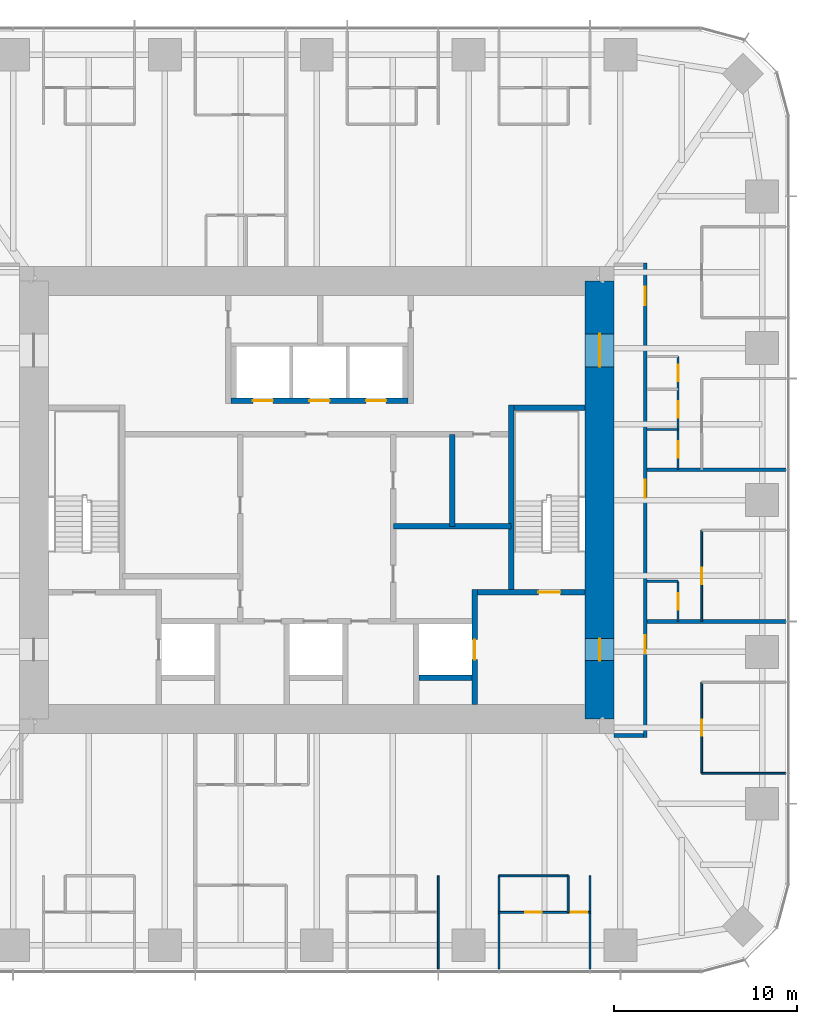
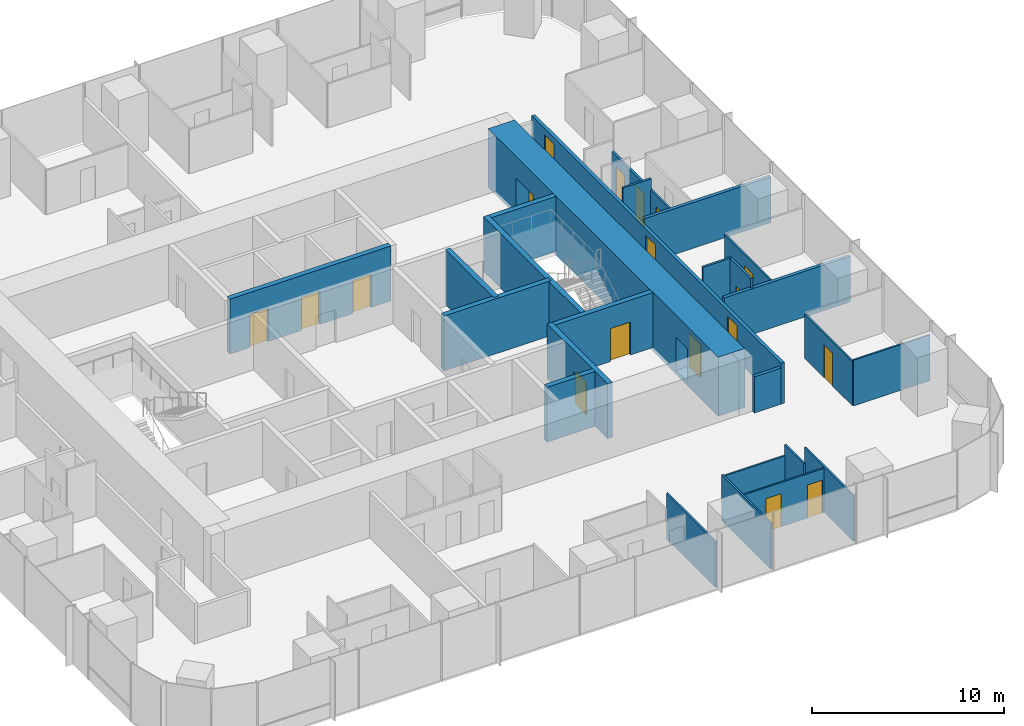
# One storey, part 10 of 13: 26 walls, 18 doors, 18 openings.
"""IFC4 building model written with IfcOpenShell, lengths in metres."""

from ifc_helpers import new_model, si_unit, direction, frame, frame_2d, origin, place, context, subcontext, project, spatial, rectangle, extrude, material, layer, layer_set, type_object, element, fill, save


model = new_model("IFC4")

# Units and contexts
model_context = context("Model", 3, precision=1e-05, world=origin(), true_north=direction((0.0, 1.0)))
body_context = subcontext(model_context, "Body", "Model", "MODEL_VIEW")
ifc_project = project(units=[si_unit("LENGTHUNIT", "METRE"), si_unit("AREAUNIT", "SQUARE_METRE"), si_unit("VOLUMEUNIT", "CUBIC_METRE"), si_unit("PLANEANGLEUNIT", "RADIAN"), si_unit("MASSUNIT", "GRAM", prefix="KILO")], contexts=[model_context])

# Site, building, storey
site_placement = place(None, origin())
site = spatial("IfcSite", under=ifc_project, at=site_placement, CompositionType="ELEMENT")
building_placement = place(site_placement, origin())
building = spatial("IfcBuilding", under=site, at=building_placement, Name="Khuree Lantern Residences", CompositionType="ELEMENT")
storey_placement = place(building_placement, frame((0.0, 0.0, 259.5)))
storey = spatial("IfcBuildingStorey", under=building, at=storey_placement, Name="L65", CompositionType="ELEMENT", Elevation=259.5)

# Wall, opening, door
ifc_material_1 = material(Name="Moisture-resistant gypsum board on steel studs", Category="steel")
ifc_layer_1 = layer(ifc_material_1, 0.125)
ifc_layer_set_1 = layer_set([ifc_layer_1], Name="BATHROOM WALL BTW125")
wall_type_1 = type_object("IfcWallType", Name="BATHROOM WALL BTW125", PredefinedType="PARTITIONING", material=ifc_layer_set_1)
wall_1_placement = place(storey_placement, frame((19.800048828125, -6.656005859375, 0.0), z_axis=(0.0, 0.0, 1.0), x_axis=(0.0, 1.0, 0.0)))
wall_1 = element("IfcWall", 1, at=wall_1_placement, inside=storey, type_object=wall_type_1, Name="L65 BATHROOM WALL 01", PredefinedType="PARTITIONING", context=body_context, shape_type="SweptSolid", body=[
    extrude(rectangle(XDim=2.199951171875, YDim=0.125, at=frame_2d((1.10009765625, 0.0))), origin(), (0.0, 0.0, 1.0), 3.5),
])
opening_1_placement = place(wall_1_placement, frame((0.64990234375, 0.0, 0.0)))
opening_1 = element("IfcOpeningElement", 2, at=opening_1_placement, cuts=wall_1, Name="Opening 65-024", PredefinedType="OPENING", context=body_context, shape_type="SweptSolid", body=[
    extrude(rectangle(XDim=0.89990234375, YDim=2.10009765625, at=frame_2d((0.449951171875, 1.050048828125))), frame((0.0, 0.072509765625, 0.0), z_axis=(0.0, -1.0, 0.0), x_axis=(1.0, 0.0, 0.0)), (0.0, 0.0, 1.0), 0.14501953125),
])
ifc_material_2 = material(Name="Timber door leaf in hardwood frame", Category="wood")
door_type_1 = type_object("IfcDoorType", Name="BATHROOM DOOR 900X2100", OperationType="SINGLE_SWING_LEFT", PredefinedType="DOOR", material=ifc_material_2)
door_1_placement = place(opening_1_placement, origin())
door_1 = element("IfcDoor", 3, at=door_1_placement, inside=storey, type_object=door_type_1, Name="Bathroom door 65-024", OperationType="SINGLE_SWING_LEFT", OverallHeight=2.10009765625, OverallWidth=0.89990234375, PredefinedType="DOOR", context=body_context, shape_type="SweptSolid", body=[
    extrude(rectangle(XDim=0.89990234375, YDim=2.10009765625, at=frame_2d((0.449951171875, 1.050048828125))), frame((0.0, 0.02490234375, 0.0), z_axis=(0.0, -1.0, 0.0), x_axis=(1.0, 0.0, 0.0)), (0.0, 0.0, 1.0), 0.050048828125),
])
fill(opening_1, door_1)

# Wall
wall_2_placement = place(storey_placement, frame((18.10009765625, -4.4560546875, 0.0), z_axis=(0.0, 0.0, 1.0), x_axis=(1.0, 0.0, 0.0)))
element("IfcWall", 4, at=wall_2_placement, inside=storey, type_object=wall_type_1, Name="L65 BATHROOM WALL 01", PredefinedType="PARTITIONING", context=body_context, shape_type="SweptSolid", body=[
    extrude(rectangle(XDim=1.699951171875, YDim=0.125, at=frame_2d((0.85009765625, 0.0))), origin(), (0.0, 0.0, 1.0), 3.5),
])

# Wall, openings, doors
wall_3_placement = place(storey_placement, frame((19.800048828125, 1.6640625, 0.0), z_axis=(0.0, 0.0, 1.0), x_axis=(0.0, 1.0, 0.0)))
wall_3 = element("IfcWall", 5, at=wall_3_placement, inside=storey, type_object=wall_type_1, Name="L65 BATHROOM WALL 02", PredefinedType="PARTITIONING", context=body_context, shape_type="SweptSolid", body=[
    extrude(rectangle(XDim=6.199951171875, YDim=0.125, at=frame_2d((3.10009765625, 0.0))), origin(), (0.0, 0.0, 1.0), 2.81005859375),
])
opening_2_placement = place(wall_3_placement, frame((0.64990234375, 0.0, 0.0)))
opening_2 = element("IfcOpeningElement", 6, at=opening_2_placement, cuts=wall_3, Name="Opening 65-032", PredefinedType="OPENING", context=body_context, shape_type="SweptSolid", body=[
    extrude(rectangle(XDim=0.89990234375, YDim=2.10009765625, at=frame_2d((0.449951171875, 1.050048828125))), frame((0.0, 0.072509765625, 0.0), z_axis=(0.0, -1.0, 0.0), x_axis=(1.0, 0.0, 0.0)), (0.0, 0.0, 1.0), 0.14501953125),
])
opening_3_placement = place(wall_3_placement, frame((2.85009765625, 0.0, 0.0)))
opening_3 = element("IfcOpeningElement", 7, at=opening_3_placement, cuts=wall_3, Name="Opening 65-033", PredefinedType="OPENING", context=body_context, shape_type="SweptSolid", body=[
    extrude(rectangle(XDim=0.89990234375, YDim=2.10009765625, at=frame_2d((0.449951171875, 1.050048828125))), frame((0.0, 0.072509765625, 0.0), z_axis=(0.0, -1.0, 0.0), x_axis=(1.0, 0.0, 0.0)), (0.0, 0.0, 1.0), 0.14501953125),
])
opening_4_placement = place(wall_3_placement, frame((4.85009765625, 0.0, 0.0)))
opening_4 = element("IfcOpeningElement", 8, at=opening_4_placement, cuts=wall_3, Name="Opening 65-034", PredefinedType="OPENING", context=body_context, shape_type="SweptSolid", body=[
    extrude(rectangle(XDim=0.89990234375, YDim=2.10009765625, at=frame_2d((0.449951171875, 1.050048828125))), frame((0.0, 0.072509765625, 0.0), z_axis=(0.0, -1.0, 0.0), x_axis=(1.0, 0.0, 0.0)), (0.0, 0.0, 1.0), 0.14501953125),
])
door_2_placement = place(opening_2_placement, origin())
door_2 = element("IfcDoor", 9, at=door_2_placement, inside=storey, type_object=door_type_1, Name="Bathroom door 65-032", OperationType="SINGLE_SWING_LEFT", OverallHeight=2.10009765625, OverallWidth=0.89990234375, PredefinedType="DOOR", context=body_context, shape_type="SweptSolid", body=[
    extrude(rectangle(XDim=0.89990234375, YDim=2.10009765625, at=frame_2d((0.449951171875, 1.050048828125))), frame((0.0, 0.02490234375, 0.0), z_axis=(0.0, -1.0, 0.0), x_axis=(1.0, 0.0, 0.0)), (0.0, 0.0, 1.0), 0.050048828125),
])
fill(opening_2, door_2)
door_3_placement = place(opening_3_placement, origin())
door_3 = element("IfcDoor", 10, at=door_3_placement, inside=storey, type_object=door_type_1, Name="Bathroom door 65-033", OperationType="SINGLE_SWING_LEFT", OverallHeight=2.10009765625, OverallWidth=0.89990234375, PredefinedType="DOOR", context=body_context, shape_type="SweptSolid", body=[
    extrude(rectangle(XDim=0.89990234375, YDim=2.10009765625, at=frame_2d((0.449951171875, 1.050048828125))), frame((0.0, 0.02490234375, 0.0), z_axis=(0.0, -1.0, 0.0), x_axis=(1.0, 0.0, 0.0)), (0.0, 0.0, 1.0), 0.050048828125),
])
fill(opening_3, door_3)
door_type_2 = type_object("IfcDoorType", Name="DOOR 900X2100", OperationType="SINGLE_SWING_LEFT", PredefinedType="DOOR", material=ifc_material_2)
door_4_placement = place(opening_4_placement, origin())
door_4 = element("IfcDoor", 11, at=door_4_placement, inside=storey, type_object=door_type_2, Name="Store door 65-034", OperationType="SINGLE_SWING_LEFT", OverallHeight=2.10009765625, OverallWidth=0.89990234375, PredefinedType="DOOR", context=body_context, shape_type="SweptSolid", body=[
    extrude(rectangle(XDim=0.89990234375, YDim=2.10009765625, at=frame_2d((0.449951171875, 1.050048828125))), frame((0.0, 0.02490234375, 0.0), z_axis=(0.0, -1.0, 0.0), x_axis=(1.0, 0.0, 0.0)), (0.0, 0.0, 1.0), 0.050048828125),
])
fill(opening_4, door_4)

# Wall
wall_4_placement = place(storey_placement, frame((18.10009765625, 3.864013671875, 0.0), z_axis=(0.0, 0.0, 1.0), x_axis=(1.0, 0.0, 0.0)))
element("IfcWall", 12, at=wall_4_placement, inside=storey, type_object=wall_type_1, Name="L65 BATHROOM WALL 02", PredefinedType="PARTITIONING", context=body_context, shape_type="SweptSolid", body=[
    extrude(rectangle(XDim=1.699951171875, YDim=0.125, at=frame_2d((0.85009765625, 0.0))), origin(), (0.0, 0.0, 1.0), 3.5),
])

# Wall, opening, door
ifc_material_3 = material(Name="Dense concrete blockwork", Category="masonry")
ifc_layer_2 = layer(ifc_material_3, 0.300048828125)
ifc_layer_set_2 = layer_set([ifc_layer_2], Name="CORE PARTITION WALL CPW300 EI 120")
wall_type_2 = type_object("IfcWallType", Name="CORE PARTITION WALL CPW300 EI 120", PredefinedType="PARTITIONING", material=ifc_layer_set_2)
wall_5_placement = place(storey_placement, frame((8.64990234375, -11.199951171875, 0.0), z_axis=(0.0, 0.0, 1.0), x_axis=(0.0, 1.0, 0.0)))
wall_5 = element("IfcWall", 13, at=wall_5_placement, inside=storey, type_object=wall_type_2, Name="L65 CORE WALL FL2E", PredefinedType="PARTITIONING", context=body_context, shape_type="SweptSolid", body=[
    extrude(rectangle(XDim=6.300048828125, YDim=0.300048828125, at=frame_2d((3.14990234375, 0.0))), origin(), (0.0, 0.0, 1.0), 3.5),
])
opening_5_placement = place(wall_5_placement, frame((2.449951171875, 0.0, 0.0)))
opening_5 = element("IfcOpeningElement", 14, at=opening_5_placement, cuts=wall_5, Name="Opening 65-008", PredefinedType="OPENING", context=body_context, shape_type="SweptSolid", body=[
    extrude(rectangle(XDim=1.10009765625, YDim=2.10009765625, at=frame_2d((0.550048828125, 1.050048828125))), frame((0.0, 0.16015625, 0.0), z_axis=(0.0, -1.0, 0.0), x_axis=(1.0, 0.0, 0.0)), (0.0, 0.0, 1.0), 0.320068359375),
])
ifc_material_4 = material(Name="Stainless steel lift landing door", Category="steel")
door_type_3 = type_object("IfcDoorType", Name="LIFT LANDING DOOR 1100X2100 E 120", OperationType="DOUBLE_DOOR_SLIDING", PredefinedType="DOOR", material=ifc_material_4)
door_5_placement = place(opening_5_placement, origin())
door_5 = element("IfcDoor", 15, at=door_5_placement, inside=storey, type_object=door_type_3, Name="Landing door FL2 65-008", OperationType="DOUBLE_DOOR_SLIDING", OverallHeight=2.10009765625, OverallWidth=1.10009765625, PredefinedType="DOOR", context=body_context, shape_type="SweptSolid", body=[
    extrude(rectangle(XDim=1.10009765625, YDim=2.10009765625, at=frame_2d((0.550048828125, 1.050048828125))), frame((0.0, 0.02490234375, 0.0), z_axis=(0.0, -1.0, 0.0), x_axis=(1.0, 0.0, 0.0)), (0.0, 0.0, 1.0), 0.050048828125),
])
fill(opening_5, door_5)

# Wall
wall_6_placement = place(storey_placement, frame((5.60009765625, -9.75, 0.0), z_axis=(0.0, 0.0, 1.0), x_axis=(1.0, 0.0, 0.0)))
element("IfcWall", 16, at=wall_6_placement, inside=storey, type_object=wall_type_2, Name="L65 CORE WALL FL2S", PredefinedType="PARTITIONING", context=body_context, shape_type="SweptSolid", body=[
    extrude(rectangle(XDim=2.89990234375, YDim=0.300048828125, at=frame_2d((1.449951171875, 0.0))), origin(), (0.0, 0.0, 1.0), 3.5),
])

# Wall, openings, doors
wall_7_placement = place(storey_placement, frame((-4.699951171875, 5.449951171875, 0.0), z_axis=(0.0, 0.0, 1.0), x_axis=(1.0, 0.0, 0.0)))
wall_7 = element("IfcWall", 17, at=wall_7_placement, inside=storey, type_object=wall_type_2, Name="L65 CORE WALL PHS", PredefinedType="PARTITIONING", context=body_context, shape_type="SweptSolid", body=[
    extrude(rectangle(XDim=9.699951171875, YDim=0.300048828125, at=frame_2d((4.85009765625, 0.0))), origin(), (0.0, 0.0, 1.0), 3.5),
])
opening_6_placement = place(wall_7_placement, frame((1.199951171875, 0.0, 0.0)))
opening_6 = element("IfcOpeningElement", 18, at=opening_6_placement, cuts=wall_7, Name="Opening 65-009", PredefinedType="OPENING", context=body_context, shape_type="SweptSolid", body=[
    extrude(rectangle(XDim=1.10009765625, YDim=2.10009765625, at=frame_2d((0.550048828125, 1.050048828125))), frame((0.0, 0.16015625, 0.0), z_axis=(0.0, -1.0, 0.0), x_axis=(1.0, 0.0, 0.0)), (0.0, 0.0, 1.0), 0.320068359375),
])
opening_7_placement = place(wall_7_placement, frame((4.300048828125, 0.0, 0.0)))
opening_7 = element("IfcOpeningElement", 19, at=opening_7_placement, cuts=wall_7, Name="Opening 65-010", PredefinedType="OPENING", context=body_context, shape_type="SweptSolid", body=[
    extrude(rectangle(XDim=1.10009765625, YDim=2.10009765625, at=frame_2d((0.550048828125, 1.050048828125))), frame((0.0, 0.16015625, 0.0), z_axis=(0.0, -1.0, 0.0), x_axis=(1.0, 0.0, 0.0)), (0.0, 0.0, 1.0), 0.320068359375),
])
opening_8_placement = place(wall_7_placement, frame((7.39990234375, 0.0, 0.0)))
opening_8 = element("IfcOpeningElement", 20, at=opening_8_placement, cuts=wall_7, Name="Opening 65-011", PredefinedType="OPENING", context=body_context, shape_type="SweptSolid", body=[
    extrude(rectangle(XDim=1.10009765625, YDim=2.10009765625, at=frame_2d((0.550048828125, 1.050048828125))), frame((0.0, 0.16015625, 0.0), z_axis=(0.0, -1.0, 0.0), x_axis=(1.0, 0.0, 0.0)), (0.0, 0.0, 1.0), 0.320068359375),
])
door_type_4 = type_object("IfcDoorType", Name="LIFT LANDING DOOR 1100X2100 E 60", OperationType="DOUBLE_DOOR_SLIDING", PredefinedType="DOOR", material=ifc_material_4)
door_6_placement = place(opening_6_placement, origin())
door_6 = element("IfcDoor", 21, at=door_6_placement, inside=storey, type_object=door_type_4, Name="Landing door PH1 65-009", OperationType="DOUBLE_DOOR_SLIDING", OverallHeight=2.10009765625, OverallWidth=1.10009765625, PredefinedType="DOOR", context=body_context, shape_type="SweptSolid", body=[
    extrude(rectangle(XDim=1.10009765625, YDim=2.10009765625, at=frame_2d((0.550048828125, 1.050048828125))), frame((0.0, 0.02490234375, 0.0), z_axis=(0.0, -1.0, 0.0), x_axis=(1.0, 0.0, 0.0)), (0.0, 0.0, 1.0), 0.050048828125),
])
fill(opening_6, door_6)
door_7_placement = place(opening_7_placement, origin())
door_7 = element("IfcDoor", 22, at=door_7_placement, inside=storey, type_object=door_type_4, Name="Landing door PH2 65-010", OperationType="DOUBLE_DOOR_SLIDING", OverallHeight=2.10009765625, OverallWidth=1.10009765625, PredefinedType="DOOR", context=body_context, shape_type="SweptSolid", body=[
    extrude(rectangle(XDim=1.10009765625, YDim=2.10009765625, at=frame_2d((0.550048828125, 1.050048828125))), frame((0.0, 0.02490234375, 0.0), z_axis=(0.0, -1.0, 0.0), x_axis=(1.0, 0.0, 0.0)), (0.0, 0.0, 1.0), 0.050048828125),
])
fill(opening_7, door_7)
door_8_placement = place(opening_8_placement, origin())
door_8 = element("IfcDoor", 23, at=door_8_placement, inside=storey, type_object=door_type_4, Name="Landing door PH3 65-011", OperationType="DOUBLE_DOOR_SLIDING", OverallHeight=2.10009765625, OverallWidth=1.10009765625, PredefinedType="DOOR", context=body_context, shape_type="SweptSolid", body=[
    extrude(rectangle(XDim=1.10009765625, YDim=2.10009765625, at=frame_2d((0.550048828125, 1.050048828125))), frame((0.0, 0.02490234375, 0.0), z_axis=(0.0, -1.0, 0.0), x_axis=(1.0, 0.0, 0.0)), (0.0, 0.0, 1.0), 0.050048828125),
])
fill(opening_8, door_8)

# Walls
wall_8_placement = place(storey_placement, frame((10.64990234375, -1.449951171875, 0.0), z_axis=(0.0, 0.0, 1.0), x_axis=(-1.0, 0.0, 0.0)))
element("IfcWall", 24, at=wall_8_placement, inside=storey, type_object=wall_type_2, Name="L65 CORE WALL EX", PredefinedType="PARTITIONING", context=body_context, shape_type="SweptSolid", body=[
    extrude(rectangle(XDim=6.449951171875, YDim=0.300048828125, at=frame_2d((3.22509765625, 0.0))), origin(), (0.0, 0.0, 1.0), 3.5),
])
wall_9_placement = place(storey_placement, frame((7.425048828125, -1.449951171875, 0.0), z_axis=(0.0, 0.0, 1.0), x_axis=(0.0, 1.0, 0.0)))
element("IfcWall", 25, at=wall_9_placement, inside=storey, type_object=wall_type_2, Name="L65 CORE WALL EV", PredefinedType="PARTITIONING", context=body_context, shape_type="SweptSolid", body=[
    extrude(rectangle(XDim=5.050048828125, YDim=0.300048828125, at=frame_2d((2.52490234375, 0.0))), origin(), (0.0, 0.0, 1.0), 3.5),
])
ifc_material_5 = material(Name="Gypsum board on steel studs", Category="steel")
ifc_layer_3 = layer(ifc_material_5, 0.199951171875)
ifc_layer_set_3 = layer_set([ifc_layer_3], Name="CORRIDOR WALL CRW200 EI 60")
wall_type_3 = type_object("IfcWallType", Name="CORRIDOR WALL CRW200 EI 60", PredefinedType="PARTITIONING", material=ifc_layer_set_3)
wall_10_placement = place(storey_placement, frame((16.300048828125, -12.89990234375, 0.0), z_axis=(0.0, 0.0, 1.0), x_axis=(1.0, 0.0, 0.0)))
element("IfcWall", 26, at=wall_10_placement, inside=storey, type_object=wall_type_3, Name="L65 EAST CORRIDOR SOUTH END WALL", PredefinedType="PARTITIONING", context=body_context, shape_type="SweptSolid", body=[
    extrude(rectangle(XDim=1.599853515625, YDim=0.199951171875, at=frame_2d((0.7998046875, 0.0))), origin(), (0.0, 0.0, 1.0), 2.300048828125),
])

# Wall, openings, doors
wall_11_placement = place(storey_placement, frame((18.0, -13.0, 0.0), z_axis=(0.0, 0.0, 1.0), x_axis=(0.0, 1.0, 0.0)))
wall_11 = element("IfcWall", 27, at=wall_11_placement, inside=storey, type_object=wall_type_3, Name="L65 CORRIDOR WALL EAST 1", PredefinedType="PARTITIONING", context=body_context, shape_type="SweptSolid", body=[
    extrude(rectangle(XDim=26.0, YDim=0.199951171875, at=frame_2d((13.0, 0.0))), origin(), (0.0, 0.0, 1.0), 2.60009765625),
])
opening_9_placement = place(wall_11_placement, frame((13.114013671875, 0.0, 0.0)))
opening_9 = element("IfcOpeningElement", 28, at=opening_9_placement, cuts=wall_11, Name="Opening 65-025", PredefinedType="OPENING", context=body_context, shape_type="SweptSolid", body=[
    extrude(rectangle(XDim=1.0, YDim=2.199951171875, at=frame_2d((0.5, 1.10009765625))), frame((0.0, 0.10986328125, 0.0), z_axis=(0.0, -1.0, 0.0), x_axis=(1.0, 0.0, 0.0)), (0.0, 0.0, 1.0), 0.219970703125),
])
opening_10_placement = place(wall_11_placement, frame((23.68408203125, 0.0, 0.0)))
opening_10 = element("IfcOpeningElement", 29, at=opening_10_placement, cuts=wall_11, Name="Opening 65-035", PredefinedType="OPENING", context=body_context, shape_type="SweptSolid", body=[
    extrude(rectangle(XDim=1.0, YDim=2.199951171875, at=frame_2d((0.5, 1.10009765625))), frame((0.0, 0.10986328125, 0.0), z_axis=(0.0, -1.0, 0.0), x_axis=(1.0, 0.0, 0.0)), (0.0, 0.0, 1.0), 0.219970703125),
])
opening_11_placement = place(wall_11_placement, frame((4.60009765625, 0.0, 0.0)))
opening_11 = element("IfcOpeningElement", 30, at=opening_11_placement, cuts=wall_11, Name="Opening 65-061", PredefinedType="OPENING", context=body_context, shape_type="SweptSolid", body=[
    extrude(rectangle(XDim=1.0, YDim=2.199951171875, at=frame_2d((0.5, 1.10009765625))), frame((0.0, 0.10986328125, 0.0), z_axis=(0.0, -1.0, 0.0), x_axis=(1.0, 0.0, 0.0)), (0.0, 0.0, 1.0), 0.219970703125),
])
door_type_5 = type_object("IfcDoorType", Name="APARTMENT ENTRANCE DOOR 1000X2200 EI 30S", OperationType="SINGLE_SWING_LEFT", PredefinedType="DOOR", material=ifc_material_2)
door_9_placement = place(opening_9_placement, origin())
door_9 = element("IfcDoor", 31, at=door_9_placement, inside=storey, type_object=door_type_5, Name="Apartment 01 entrance door 65-025", OperationType="SINGLE_SWING_LEFT", OverallHeight=2.199951171875, OverallWidth=1.0, PredefinedType="DOOR", context=body_context, shape_type="SweptSolid", body=[
    extrude(rectangle(XDim=1.0, YDim=2.199951171875, at=frame_2d((0.5, 1.10009765625))), frame((0.0, 0.02490234375, 0.0), z_axis=(0.0, -1.0, 0.0), x_axis=(1.0, 0.0, 0.0)), (0.0, 0.0, 1.0), 0.050048828125),
])
fill(opening_9, door_9)
door_10_placement = place(opening_11_placement, origin())
door_10 = element("IfcDoor", 32, at=door_10_placement, inside=storey, type_object=door_type_5, Name="Apartment 06 entrance door 65-061", OperationType="SINGLE_SWING_LEFT", OverallHeight=2.199951171875, OverallWidth=1.0, PredefinedType="DOOR", context=body_context, shape_type="SweptSolid", body=[
    extrude(rectangle(XDim=1.0, YDim=2.199951171875, at=frame_2d((0.5, 1.10009765625))), frame((0.0, 0.02490234375, 0.0), z_axis=(0.0, -1.0, 0.0), x_axis=(1.0, 0.0, 0.0)), (0.0, 0.0, 1.0), 0.050048828125),
])
fill(opening_11, door_10)
door_type_6 = type_object("IfcDoorType", Name="APARTMENT ENTRANCE DOOR 1000X2200 EI 30S RIGHT HAND", OperationType="SINGLE_SWING_RIGHT", PredefinedType="DOOR", material=ifc_material_2)
door_11_placement = place(opening_10_placement, origin())
door_11 = element("IfcDoor", 33, at=door_11_placement, inside=storey, type_object=door_type_6, Name="Apartment 02 entrance door 65-035", OperationType="SINGLE_SWING_RIGHT", OverallHeight=2.199951171875, OverallWidth=1.0, PredefinedType="DOOR", context=body_context, shape_type="SweptSolid", body=[
    extrude(rectangle(XDim=1.0, YDim=2.199951171875, at=frame_2d((0.5, 1.10009765625))), frame((0.0, 0.02490234375, 0.0), z_axis=(0.0, -1.0, 0.0), x_axis=(1.0, 0.0, 0.0)), (0.0, 0.0, 1.0), 0.050048828125),
])
fill(opening_10, door_11)

ifc_material_6 = material(Name="Concrete C50/60", Category="concrete")
ifc_layer_4 = layer(ifc_material_6, 1.60009765625)
ifc_layer_set_4 = layer_set([ifc_layer_4], Name="CW1600-C50 CORE WALL C50 1600")
wall_type_4 = type_object("IfcWallType", Name="CW1600-C50 CORE WALL C50 1600", PredefinedType="SHEAR", material=ifc_layer_set_4)
wall_12_placement = place(storey_placement, frame((15.5, -12.0, -0.25), z_axis=(0.0, 0.0, 1.0), x_axis=(0.0, 1.0, 0.0)))
wall_12 = element("IfcWall", 34, at=wall_12_placement, inside=storey, type_object=wall_type_4, Name="Core wall E", PredefinedType="SHEAR", context=body_context, shape_type="SweptSolid", body=[
    extrude(rectangle(XDim=24.0, YDim=1.60009765625, at=frame_2d((12.0, 0.0))), origin(), (0.0, 0.0, 1.0), 3.75),
])
opening_12_placement = place(wall_12_placement, frame((3.199951171875, 0.0, 0.25)))
opening_12 = element("IfcOpeningElement", 35, at=opening_12_placement, cuts=wall_12, Name="Opening 65-005", PredefinedType="OPENING", context=body_context, shape_type="SweptSolid", body=[
    extrude(rectangle(XDim=1.199951171875, YDim=2.10009765625, at=frame_2d((0.60009765625, 1.050048828125))), frame((0.0, 0.81005859375, 0.0), z_axis=(0.0, -1.0, 0.0), x_axis=(1.0, 0.0, 0.0)), (0.0, 0.0, 1.0), 1.6201171875),
])
opening_13_placement = place(wall_12_placement, frame((19.300048828125, 0.0, 0.25)))
opening_13 = element("IfcOpeningElement", 36, at=opening_13_placement, cuts=wall_12, Name="Opening 65-006", PredefinedType="OPENING", context=body_context, shape_type="SweptSolid", body=[
    extrude(rectangle(XDim=1.800048828125, YDim=2.10009765625, at=frame_2d((0.89990234375, 1.050048828125))), frame((0.0, 0.81005859375, 0.0), z_axis=(0.0, -1.0, 0.0), x_axis=(1.0, 0.0, 0.0)), (0.0, 0.0, 1.0), 1.6201171875),
])
ifc_material_7 = material(Name="Steel door leaf in steel frame", Category="steel")
door_type_7 = type_object("IfcDoorType", Name="LOBBY DOOR 1200X2100 EI 120", OperationType="SINGLE_SWING_LEFT", PredefinedType="DOOR", material=ifc_material_7)
door_12_placement = place(opening_12_placement, origin())
door_12 = element("IfcDoor", 37, at=door_12_placement, inside=storey, type_object=door_type_7, Name="Firefighting lobby door 65-005", OperationType="SINGLE_SWING_LEFT", OverallHeight=2.10009765625, OverallWidth=1.199951171875, PredefinedType="DOOR", context=body_context, shape_type="SweptSolid", body=[
    extrude(rectangle(XDim=1.199951171875, YDim=2.10009765625, at=frame_2d((0.60009765625, 1.050048828125))), frame((0.0, 0.02490234375, 0.0), z_axis=(0.0, -1.0, 0.0), x_axis=(1.0, 0.0, 0.0)), (0.0, 0.0, 1.0), 0.050048828125),
])
fill(opening_12, door_12)
door_type_8 = type_object("IfcDoorType", Name="LOBBY DOUBLE DOOR 1800X2100 EI 60", OperationType="DOUBLE_DOOR_SINGLE_SWING", PredefinedType="DOOR", material=ifc_material_7)
door_13_placement = place(opening_13_placement, origin())
door_13 = element("IfcDoor", 38, at=door_13_placement, inside=storey, type_object=door_type_8, Name="Lift lobby door 65-006", OperationType="DOUBLE_DOOR_SINGLE_SWING", OverallHeight=2.10009765625, OverallWidth=1.800048828125, PredefinedType="DOOR", context=body_context, shape_type="SweptSolid", body=[
    extrude(rectangle(XDim=1.800048828125, YDim=2.10009765625, at=frame_2d((0.89990234375, 1.050048828125))), frame((0.0, 0.02490234375, 0.0), z_axis=(0.0, -1.0, 0.0), x_axis=(1.0, 0.0, 0.0)), (0.0, 0.0, 1.0), 0.050048828125),
])
fill(opening_13, door_13)

# Walls
ifc_layer_5 = layer(ifc_material_5, 0.199951171875)
ifc_layer_set_5 = layer_set([ifc_layer_5], Name="DEMISING WALL DMW200 EI 90")
wall_type_5 = type_object("IfcWallType", Name="DEMISING WALL DMW200 EI 90", PredefinedType="PARTITIONING", material=ifc_layer_set_5)
for number, where, z_axis, x_axis, name in (
    (39, (18.10009765625, -6.656005859375, 0.0), (0.0, 0.0, 1.0), (1.0, 0.0, 0.0), "L65 DEMISING WALL 01"),
    (40, (18.10009765625, 1.6640625, 0.0), (0.0, 0.0, 1.0), (1.0, 0.0, 0.0), "L65 DEMISING WALL 02"),
):
    element("IfcWall", number, at=place(storey_placement, frame(where, z_axis=z_axis, x_axis=x_axis)), inside=storey, type_object=wall_type_5, Name=name, PredefinedType="PARTITIONING", context=body_context, shape_type="SweptSolid", body=[
        extrude(rectangle(XDim=7.599853515625, YDim=0.199951171875, at=frame_2d((3.7998046875, 0.0))), origin(), (0.0, 0.0, 1.0), 2.909912109375),
    ])
ifc_layer_6 = layer(ifc_material_5, 0.10009765625)
ifc_layer_set_6 = layer_set([ifc_layer_6], Name="PARTITION PT100")
wall_type_6 = type_object("IfcWallType", Name="PARTITION PT100", PredefinedType="PARTITIONING", material=ifc_layer_set_6)
for number, where, z_axis, x_axis, name in (
    (41, (6.656005859375, -20.594970703125, 0.0), (0.0, 0.0, 1.0), (0.0, -1.0, 0.0), "L65 PARTITION 06"),
    (42, (9.98388671875, -20.594970703125, 0.0), (0.0, 0.0, 1.0), (0.0, -1.0, 0.0), "L65 PARTITION 06"),
    (43, (14.97607421875, -20.594970703125, 0.0), (0.0, 0.0, 1.0), (0.0, -1.0, 0.0), "L65 PARTITION 06"),
):
    element("IfcWall", number, at=place(storey_placement, frame(where, z_axis=z_axis, x_axis=x_axis)), inside=storey, type_object=wall_type_6, Name=name, PredefinedType="PARTITIONING", context=body_context, shape_type="SweptSolid", body=[
        extrude(rectangle(XDim=5.10498046875, YDim=0.10009765625, at=frame_2d((2.552490234375, 0.0))), origin(), (0.0, 0.0, 1.0), 2.909912109375),
    ])
wall_13_placement = place(storey_placement, frame((21.10009765625, -14.97607421875, 0.0), z_axis=(0.0, 0.0, 1.0), x_axis=(1.0, 0.0, 0.0)))
element("IfcWall", 44, at=wall_13_placement, inside=storey, type_object=wall_type_6, Name="L65 PARTITION 06", PredefinedType="PARTITIONING", context=body_context, shape_type="SweptSolid", body=[
    extrude(rectangle(XDim=4.599853515625, YDim=0.10009765625, at=frame_2d((2.2998046875, 0.0))), origin(), (0.0, 0.0, 1.0), 2.909912109375),
])

# Wall, opening, door
wall_14_placement = place(storey_placement, frame((21.10009765625, -6.656005859375, 0.0), z_axis=(0.0, 0.0, 1.0), x_axis=(0.0, 1.0, 0.0)))
wall_14 = element("IfcWall", 45, at=wall_14_placement, inside=storey, type_object=wall_type_6, Name="L65 PARTITION 01", PredefinedType="PARTITIONING", context=body_context, shape_type="SweptSolid", body=[
    extrude(rectangle(XDim=4.991943359375, YDim=0.10009765625, at=frame_2d((2.49609375, 0.0))), origin(), (0.0, 0.0, 1.0), 2.81005859375),
])
opening_14_placement = place(wall_14_placement, frame((2.0458984375, 0.0, 0.0)))
opening_14 = element("IfcOpeningElement", 46, at=opening_14_placement, cuts=wall_14, Name="Opening 65-023", PredefinedType="OPENING", context=body_context, shape_type="SweptSolid", body=[
    extrude(rectangle(XDim=0.89990234375, YDim=2.10009765625, at=frame_2d((0.449951171875, 1.050048828125))), frame((0.0, 0.06005859375, 0.0), z_axis=(0.0, -1.0, 0.0), x_axis=(1.0, 0.0, 0.0)), (0.0, 0.0, 1.0), 0.1201171875),
])
door_type_9 = type_object("IfcDoorType", Name="BEDROOM DOOR 900X2100", OperationType="SINGLE_SWING_LEFT", PredefinedType="DOOR", material=ifc_material_2)
door_14_placement = place(opening_14_placement, origin())
door_14 = element("IfcDoor", 47, at=door_14_placement, inside=storey, type_object=door_type_9, Name="Bedroom door 65-023", OperationType="SINGLE_SWING_LEFT", OverallHeight=2.10009765625, OverallWidth=0.89990234375, PredefinedType="DOOR", context=body_context, shape_type="SweptSolid", body=[
    extrude(rectangle(XDim=0.89990234375, YDim=2.10009765625, at=frame_2d((0.449951171875, 1.050048828125))), frame((0.0, 0.02490234375, 0.0), z_axis=(0.0, -1.0, 0.0), x_axis=(1.0, 0.0, 0.0)), (0.0, 0.0, 1.0), 0.050048828125),
])
fill(opening_14, door_14)

# Wall, openings, doors
wall_15_placement = place(storey_placement, frame((9.98388671875, -22.594970703125, 0.0), z_axis=(0.0, 0.0, 1.0), x_axis=(1.0, 0.0, 0.0)))
wall_15 = element("IfcWall", 48, at=wall_15_placement, inside=storey, type_object=wall_type_6, Name="L65 PARTITION 06", PredefinedType="PARTITIONING", context=body_context, shape_type="SweptSolid", body=[
    extrude(rectangle(XDim=4.9921875, YDim=0.10009765625, at=frame_2d((2.49609375, 0.0))), origin(), (0.0, 0.0, 1.0), 2.81005859375),
])
opening_15_placement = place(wall_15_placement, frame((3.94189453125, 0.0, 0.0)))
opening_15 = element("IfcOpeningElement", 49, at=opening_15_placement, cuts=wall_15, Name="Opening 65-055", PredefinedType="OPENING", context=body_context, shape_type="SweptSolid", body=[
    extrude(rectangle(XDim=0.89990234375, YDim=2.10009765625, at=frame_2d((0.449951171875, 1.050048828125))), frame((0.0, 0.06005859375, 0.0), z_axis=(0.0, -1.0, 0.0), x_axis=(1.0, 0.0, 0.0)), (0.0, 0.0, 1.0), 0.1201171875),
])
opening_16_placement = place(wall_15_placement, frame((1.446044921875, 0.0, 0.0)))
opening_16 = element("IfcOpeningElement", 50, at=opening_16_placement, cuts=wall_15, Name="Opening 65-056", PredefinedType="OPENING", context=body_context, shape_type="SweptSolid", body=[
    extrude(rectangle(XDim=0.89990234375, YDim=2.10009765625, at=frame_2d((0.449951171875, 1.050048828125))), frame((0.0, 0.06005859375, 0.0), z_axis=(0.0, -1.0, 0.0), x_axis=(1.0, 0.0, 0.0)), (0.0, 0.0, 1.0), 0.1201171875),
])
door_15_placement = place(opening_15_placement, origin())
door_15 = element("IfcDoor", 51, at=door_15_placement, inside=storey, type_object=door_type_9, Name="Bedroom door 65-055", OperationType="SINGLE_SWING_LEFT", OverallHeight=2.10009765625, OverallWidth=0.89990234375, PredefinedType="DOOR", context=body_context, shape_type="SweptSolid", body=[
    extrude(rectangle(XDim=0.89990234375, YDim=2.10009765625, at=frame_2d((0.449951171875, 1.050048828125))), frame((0.0, 0.02490234375, 0.0), z_axis=(0.0, -1.0, 0.0), x_axis=(1.0, 0.0, 0.0)), (0.0, 0.0, 1.0), 0.050048828125),
])
fill(opening_15, door_15)
door_16_placement = place(opening_16_placement, origin())
door_16 = element("IfcDoor", 52, at=door_16_placement, inside=storey, type_object=door_type_2, Name="Wardrobe door 65-056", OperationType="SINGLE_SWING_LEFT", OverallHeight=2.10009765625, OverallWidth=0.89990234375, PredefinedType="DOOR", context=body_context, shape_type="SweptSolid", body=[
    extrude(rectangle(XDim=0.89990234375, YDim=2.10009765625, at=frame_2d((0.449951171875, 1.050048828125))), frame((0.0, 0.02490234375, 0.0), z_axis=(0.0, -1.0, 0.0), x_axis=(1.0, 0.0, 0.0)), (0.0, 0.0, 1.0), 0.050048828125),
])
fill(opening_16, door_16)

# Walls
wall_16_placement = place(storey_placement, frame((13.77587890625, -20.594970703125, 0.0), z_axis=(0.0, 0.0, 1.0), x_axis=(0.0, -1.0, 0.0)))
element("IfcWall", 53, at=wall_16_placement, inside=storey, type_object=wall_type_6, Name="L65 PARTITION 06", PredefinedType="PARTITIONING", context=body_context, shape_type="SweptSolid", body=[
    extrude(rectangle(XDim=2.0, YDim=0.10009765625, at=frame_2d((1.0, 0.0))), origin(), (0.0, 0.0, 1.0), 3.5),
])
wall_17_placement = place(storey_placement, frame((9.98388671875, -20.594970703125, 0.0), z_axis=(0.0, 0.0, 1.0), x_axis=(1.0, 0.0, 0.0)))
element("IfcWall", 54, at=wall_17_placement, inside=storey, type_object=wall_type_6, Name="L65 PARTITION 06", PredefinedType="PARTITIONING", context=body_context, shape_type="SweptSolid", body=[
    extrude(rectangle(XDim=3.7919921875, YDim=0.10009765625, at=frame_2d((1.89599609375, 0.0))), origin(), (0.0, 0.0, 1.0), 2.81005859375),
])

# Wall, opening, door
wall_18_placement = place(storey_placement, frame((21.10009765625, -14.97607421875, 0.0), z_axis=(0.0, 0.0, 1.0), x_axis=(0.0, 1.0, 0.0)))
wall_18 = element("IfcWall", 55, at=wall_18_placement, inside=storey, type_object=wall_type_6, Name="L65 PARTITION 06", PredefinedType="PARTITIONING", context=body_context, shape_type="SweptSolid", body=[
    extrude(rectangle(XDim=4.9921875, YDim=0.10009765625, at=frame_2d((2.49609375, 0.0))), origin(), (0.0, 0.0, 1.0), 2.81005859375),
])
opening_17_placement = place(wall_18_placement, frame((2.0458984375, 0.0, 0.0)))
opening_17 = element("IfcOpeningElement", 56, at=opening_17_placement, cuts=wall_18, Name="Opening 65-057", PredefinedType="OPENING", context=body_context, shape_type="SweptSolid", body=[
    extrude(rectangle(XDim=0.89990234375, YDim=2.10009765625, at=frame_2d((0.449951171875, 1.050048828125))), frame((0.0, 0.06005859375, 0.0), z_axis=(0.0, -1.0, 0.0), x_axis=(1.0, 0.0, 0.0)), (0.0, 0.0, 1.0), 0.1201171875),
])
door_17_placement = place(opening_17_placement, origin())
door_17 = element("IfcDoor", 57, at=door_17_placement, inside=storey, type_object=door_type_9, Name="Bedroom door 65-057", OperationType="SINGLE_SWING_LEFT", OverallHeight=2.10009765625, OverallWidth=0.89990234375, PredefinedType="DOOR", context=body_context, shape_type="SweptSolid", body=[
    extrude(rectangle(XDim=0.89990234375, YDim=2.10009765625, at=frame_2d((0.449951171875, 1.050048828125))), frame((0.0, 0.02490234375, 0.0), z_axis=(0.0, -1.0, 0.0), x_axis=(1.0, 0.0, 0.0)), (0.0, 0.0, 1.0), 0.050048828125),
])
fill(opening_17, door_17)

# Wall
ifc_layer_7 = layer(ifc_material_6, 0.300048828125)
ifc_layer_set_7 = layer_set([ifc_layer_7], Name="STAIR WALL SRW300 C50/60 REI 240")
wall_type_7 = type_object("IfcWallType", Name="STAIR WALL SRW300 C50/60 REI 240", PredefinedType="SOLIDWALL", material=ifc_layer_set_7)
wall_19_placement = place(storey_placement, frame((10.64990234375, -4.89990234375, 0.0), z_axis=(0.0, 0.0, 1.0), x_axis=(0.0, 1.0, 0.0)))
element("IfcWall", 58, at=wall_19_placement, inside=storey, type_object=wall_type_7, Name="L65 STAIR WALL ST2E", PredefinedType="SOLIDWALL", context=body_context, shape_type="SweptSolid", body=[
    extrude(rectangle(XDim=10.099853515625, YDim=0.300048828125, at=frame_2d((5.0498046875, 0.0))), origin(), (0.0, 0.0, 1.0), 3.5),
])

# Wall, opening, door
wall_20_placement = place(storey_placement, frame((14.699951171875, -5.050048828125, 0.0), z_axis=(0.0, 0.0, 1.0), x_axis=(-1.0, 0.0, 0.0)))
wall_20 = element("IfcWall", 59, at=wall_20_placement, inside=storey, type_object=wall_type_7, Name="L65 STAIR WALL ST2S", PredefinedType="SOLIDWALL", context=body_context, shape_type="SweptSolid", body=[
    extrude(rectangle(XDim=5.89990234375, YDim=0.300048828125, at=frame_2d((2.949951171875, 0.0))), origin(), (0.0, 0.0, 1.0), 3.5),
])
opening_18_placement = place(wall_20_placement, frame((1.35009765625, 0.0, 0.0)))
opening_18 = element("IfcOpeningElement", 60, at=opening_18_placement, cuts=wall_20, Name="Opening 65-004", PredefinedType="OPENING", context=body_context, shape_type="SweptSolid", body=[
    extrude(rectangle(XDim=1.199951171875, YDim=2.10009765625, at=frame_2d((0.60009765625, 1.050048828125))), frame((0.0, 0.16015625, 0.0), z_axis=(0.0, -1.0, 0.0), x_axis=(1.0, 0.0, 0.0)), (0.0, 0.0, 1.0), 0.320068359375),
])
door_type_10 = type_object("IfcDoorType", Name="STAIR DOOR 1200X2100 EI 120", OperationType="SINGLE_SWING_LEFT", PredefinedType="DOOR", material=ifc_material_7)
door_18_placement = place(opening_18_placement, origin())
door_18 = element("IfcDoor", 61, at=door_18_placement, inside=storey, type_object=door_type_10, Name="Stair ST2 door 65-004", OperationType="SINGLE_SWING_LEFT", OverallHeight=2.10009765625, OverallWidth=1.199951171875, PredefinedType="DOOR", context=body_context, shape_type="SweptSolid", body=[
    extrude(rectangle(XDim=1.199951171875, YDim=2.10009765625, at=frame_2d((0.60009765625, 1.050048828125))), frame((0.0, 0.02490234375, 0.0), z_axis=(0.0, -1.0, 0.0), x_axis=(1.0, 0.0, 0.0)), (0.0, 0.0, 1.0), 0.050048828125),
])
fill(opening_18, door_18)

# Wall
wall_21_placement = place(storey_placement, frame((14.699951171875, 5.050048828125, 0.0), z_axis=(0.0, 0.0, 1.0), x_axis=(-1.0, 0.0, 0.0)))
element("IfcWall", 62, at=wall_21_placement, inside=storey, type_object=wall_type_7, Name="L65 STAIR WALL ST2N", PredefinedType="SOLIDWALL", context=body_context, shape_type="SweptSolid", body=[
    extrude(rectangle(XDim=3.89990234375, YDim=0.300048828125, at=frame_2d((1.949951171875, 0.0))), origin(), (0.0, 0.0, 1.0), 3.5),
])

save(model, "model.ifc")
